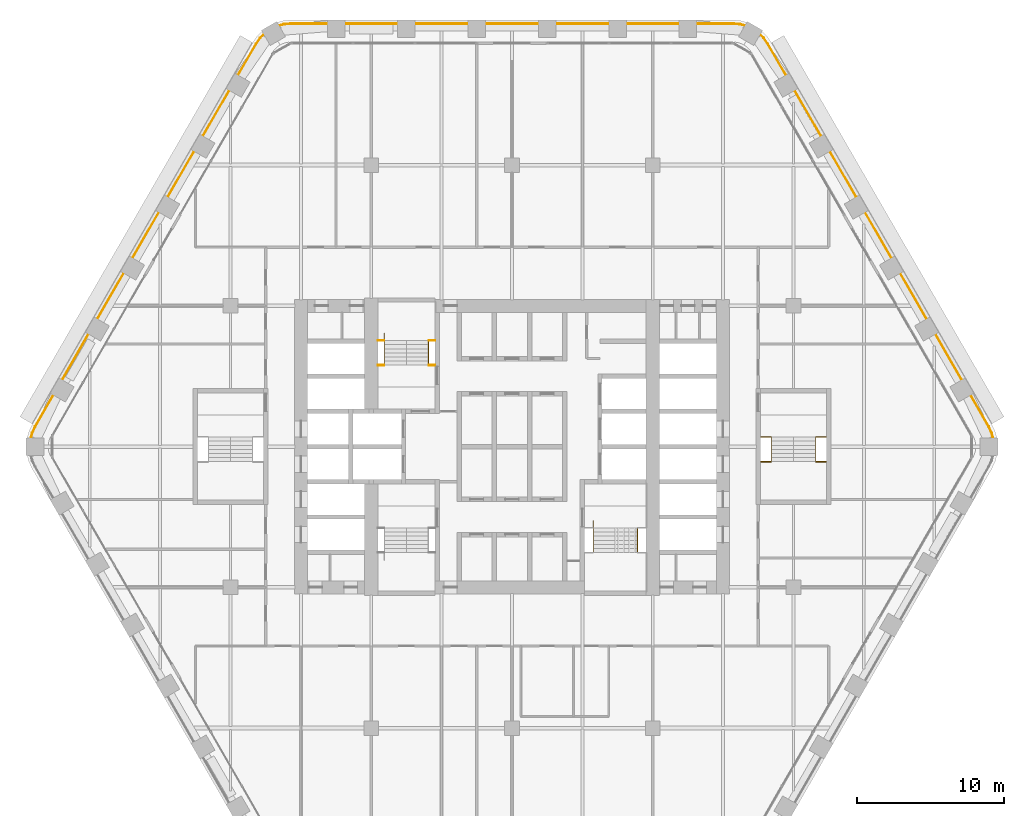
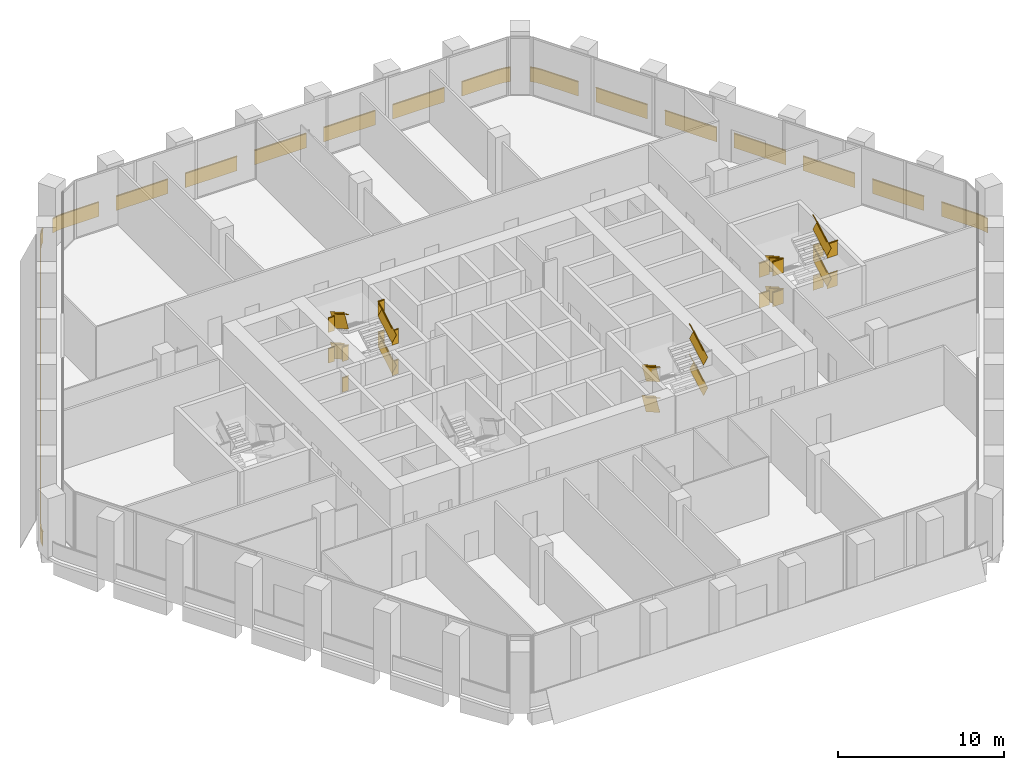
# One storey, part 23 of 23: 8 railings.
"""IFC4 building model written with IfcOpenShell, lengths in metres."""

from ifc_helpers import new_model, si_unit, direction, frame, frame_2d, origin, origin_2d, place, context, subcontext, project, spatial, rectangle, extrude, material, type_object, element, save


model = new_model("IFC4")

# Units and contexts
model_context = context("Model", 3, precision=1e-05, world=origin(), true_north=direction((0.0, 1.0)))
body_context = subcontext(model_context, "Body", "Model", "MODEL_VIEW")
ifc_project = project(units=[si_unit("LENGTHUNIT", "METRE"), si_unit("AREAUNIT", "SQUARE_METRE"), si_unit("VOLUMEUNIT", "CUBIC_METRE"), si_unit("PLANEANGLEUNIT", "RADIAN"), si_unit("MASSUNIT", "GRAM", prefix="KILO")], contexts=[model_context])

# Site, building, storey
site_placement = place(None, origin())
site = spatial("IfcSite", under=ifc_project, at=site_placement, CompositionType="ELEMENT")
building_placement = place(site_placement, origin())
building = spatial("IfcBuilding", under=site, at=building_placement, Name="Kolab Exchange Tower", CompositionType="ELEMENT")
storey_placement = place(building_placement, frame((0.0, 0.0, 95.89990234375)))
storey = spatial("IfcBuildingStorey", under=building, at=storey_placement, Name="L18", CompositionType="ELEMENT", Elevation=95.89990234375)

# Railings
ifc_material_1 = material(Name="Stainless steel 316", Category="steel")
railing_type_1 = type_object("IfcRailingType", Name="GUARD 1100", PredefinedType="GUARDRAIL", material=ifc_material_1)
railing_1_placement = place(storey_placement, frame((-9.14990234375, 5.550048828125, 0.0)))
element("IfcRailing", 1, at=railing_1_placement, inside=storey, type_object=railing_type_1, Name="Guard ST1", PredefinedType="GUARDRAIL", context=body_context, shape_type="SweptSolid", body=[
    extrude(rectangle(XDim=0.05, YDim=0.05, at=origin_2d()), frame((0.0, 0.0, 1.0751953125), z_axis=(1.0, 0.0, 0.0), x_axis=(0.0, 1.0, 0.0)), (0.0, 0.0, 1.0), 0.43994140625),
    extrude(rectangle(XDim=0.012, YDim=1.05009765625, at=frame_2d((0.0, 0.525146484375))), frame((0.0, 0.0, 0.0), z_axis=(1.0, 0.0, 0.0), x_axis=(0.0, 1.0, 0.0)), (0.0, 0.0, 1.0), 0.43994140625),
    extrude(rectangle(XDim=0.05, YDim=0.05, at=origin_2d()), frame((3.4599609375, 0.0, 1.0751953125), z_axis=(1.0, 0.0, 0.0), x_axis=(0.0, 1.0, 0.0)), (0.0, 0.0, 1.0), 0.43994140625),
    extrude(rectangle(XDim=0.012, YDim=1.05009765625, at=frame_2d((0.0, 0.525146484375))), frame((3.4599609375, 0.0, 0.0), z_axis=(1.0, 0.0, 0.0), x_axis=(0.0, 1.0, 0.0)), (0.0, 0.0, 1.0), 0.43994140625),
    extrude(rectangle(XDim=0.05, YDim=0.05, at=origin_2d()), frame((0.0, 1.679931640625, 2.2001953125), z_axis=(1.0, 0.0, 0.0), x_axis=(0.0, 1.0, 0.0)), (0.0, 0.0, 1.0), 0.43994140625),
    extrude(rectangle(XDim=0.012, YDim=1.05009765625, at=frame_2d((0.0, 0.525146484375))), frame((0.0, 1.679931640625, 1.125), z_axis=(1.0, 0.0, 0.0), x_axis=(0.0, 1.0, 0.0)), (0.0, 0.0, 1.0), 0.43994140625),
    extrude(rectangle(XDim=0.05, YDim=0.05, at=origin_2d()), frame((3.4599609375, 1.679931640625, 2.2001953125), z_axis=(1.0, 0.0, 0.0), x_axis=(0.0, 1.0, 0.0)), (0.0, 0.0, 1.0), 0.43994140625),
    extrude(rectangle(XDim=0.012, YDim=1.05009765625, at=frame_2d((0.0, 0.525146484375))), frame((3.4599609375, 1.679931640625, 1.125), z_axis=(1.0, 0.0, 0.0), x_axis=(0.0, 1.0, 0.0)), (0.0, 0.0, 1.0), 0.43994140625),
    extrude(rectangle(XDim=0.05, YDim=0.05, at=origin_2d()), frame((0.0, 0.0, 3.3251953125), z_axis=(1.0, 0.0, 0.0), x_axis=(0.0, 1.0, 0.0)), (0.0, 0.0, 1.0), 0.43994140625),
    extrude(rectangle(XDim=0.012, YDim=1.05009765625, at=frame_2d((0.0, 0.525146484375))), frame((0.0, 0.0, 2.25), z_axis=(1.0, 0.0, 0.0), x_axis=(0.0, 1.0, 0.0)), (0.0, 0.0, 1.0), 0.43994140625),
    extrude(rectangle(XDim=0.05, YDim=0.05, at=origin_2d()), frame((3.4599609375, 0.0, 3.3251953125), z_axis=(1.0, 0.0, 0.0), x_axis=(0.0, 1.0, 0.0)), (0.0, 0.0, 1.0), 0.43994140625),
    extrude(rectangle(XDim=0.012, YDim=1.05009765625, at=frame_2d((0.0, 0.525146484375))), frame((3.4599609375, 0.0, 2.25), z_axis=(1.0, 0.0, 0.0), x_axis=(0.0, 1.0, 0.0)), (0.0, 0.0, 1.0), 0.43994140625),
    extrude(rectangle(XDim=0.05, YDim=0.05, at=origin_2d()), frame((0.0, 1.679931640625, 4.4501953125), z_axis=(1.0, 0.0, 0.0), x_axis=(0.0, 1.0, 0.0)), (0.0, 0.0, 1.0), 0.43994140625),
    extrude(rectangle(XDim=0.012, YDim=1.05009765625, at=frame_2d((0.0, 0.525146484375))), frame((0.0, 1.679931640625, 3.375), z_axis=(1.0, 0.0, 0.0), x_axis=(0.0, 1.0, 0.0)), (0.0, 0.0, 1.0), 0.43994140625),
    extrude(rectangle(XDim=0.05, YDim=0.05, at=origin_2d()), frame((3.4599609375, 1.679931640625, 4.4501953125), z_axis=(1.0, 0.0, 0.0), x_axis=(0.0, 1.0, 0.0)), (0.0, 0.0, 1.0), 0.43994140625),
    extrude(rectangle(XDim=0.012, YDim=1.05009765625, at=frame_2d((0.0, 0.525146484375))), frame((3.4599609375, 1.679931640625, 3.375), z_axis=(1.0, 0.0, 0.0), x_axis=(0.0, 1.0, 0.0)), (0.0, 0.0, 1.0), 0.43994140625),
])
railing_2_placement = place(storey_placement, frame((-5.68994140625, 5.550048828125, 0.160888671875)))
element("IfcRailing", 2, at=railing_2_placement, inside=storey, type_object=railing_type_1, Name="Handrail guard ST1", PredefinedType="GUARDRAIL", context=body_context, shape_type="SweptSolid", body=[
    extrude(rectangle(XDim=0.05, YDim=0.05, at=origin_2d()), frame((0.0, 0.0, 1.0751953125), z_axis=(0.0, 0.867318599139, 0.497753400378), x_axis=(-1.0, 0.0, 0.0)), (0.0, 0.0, 1.0), 1.93701171875),
    extrude(rectangle(XDim=0.012, YDim=1.05009765625, at=frame_2d((0.0, 0.525146484375))), frame((0.0, 0.0, 0.0), z_axis=(0.0, 0.867318599139, 0.497753400378), x_axis=(-1.0, 0.0, 0.0)), (0.0, 0.0, 1.0), 1.93701171875),
    extrude(rectangle(XDim=0.05, YDim=0.05, at=origin_2d()), frame((-3.02001953125, 1.679931640625, 2.2001953125), z_axis=(0.0, -0.867318599139, 0.497753400378), x_axis=(1.0, 0.0, 0.0)), (0.0, 0.0, 1.0), 1.93701171875),
    extrude(rectangle(XDim=0.012, YDim=1.05009765625, at=frame_2d((0.0, 0.525146484375))), frame((-3.02001953125, 1.679931640625, 1.125), z_axis=(0.0, -0.867318599139, 0.497753400378), x_axis=(1.0, 0.0, 0.0)), (0.0, 0.0, 1.0), 1.93701171875),
    extrude(rectangle(XDim=0.05, YDim=0.05, at=origin_2d()), frame((0.0, 0.0, 3.3251953125), z_axis=(0.0, 0.867318599139, 0.497753400378), x_axis=(-1.0, 0.0, 0.0)), (0.0, 0.0, 1.0), 1.93701171875),
    extrude(rectangle(XDim=0.012, YDim=1.05009765625, at=frame_2d((0.0, 0.525146484375))), frame((0.0, 0.0, 2.25), z_axis=(0.0, 0.867318599139, 0.497753400378), x_axis=(-1.0, 0.0, 0.0)), (0.0, 0.0, 1.0), 1.93701171875),
    extrude(rectangle(XDim=0.05, YDim=0.05, at=origin_2d()), frame((-3.02001953125, 1.679931640625, 4.4501953125), z_axis=(0.0, -0.867318599139, 0.497753400378), x_axis=(1.0, 0.0, 0.0)), (0.0, 0.0, 1.0), 1.93701171875),
    extrude(rectangle(XDim=0.012, YDim=1.05009765625, at=frame_2d((0.0, 0.525146484375))), frame((-3.02001953125, 1.679931640625, 3.375), z_axis=(0.0, -0.867318599139, 0.497753400378), x_axis=(1.0, 0.0, 0.0)), (0.0, 0.0, 1.0), 1.93701171875),
])
railing_3_placement = place(storey_placement, frame((5.5400390625, -5.550048828125, 0.160888671875)))
element("IfcRailing", 3, at=railing_3_placement, inside=storey, type_object=railing_type_1, Name="Handrail guard ST2", PredefinedType="GUARDRAIL", context=body_context, shape_type="SweptSolid", body=[
    extrude(rectangle(XDim=0.05, YDim=0.05, at=origin_2d()), frame((0.0, 0.0, 1.0751953125), z_axis=(0.0, -0.867318599139, 0.497753400378), x_axis=(1.0, 0.0, 0.0)), (0.0, 0.0, 1.0), 1.93701171875),
    extrude(rectangle(XDim=0.012, YDim=1.05009765625, at=frame_2d((0.0, 0.525146484375))), frame((0.0, 0.0, 0.0), z_axis=(0.0, -0.867318599139, 0.497753400378), x_axis=(1.0, 0.0, 0.0)), (0.0, 0.0, 1.0), 1.93701171875),
    extrude(rectangle(XDim=0.05, YDim=0.05, at=origin_2d()), frame((3.02001953125, -1.679931640625, 2.2001953125), z_axis=(0.0, 0.867318599139, 0.497753400378), x_axis=(-1.0, 0.0, 0.0)), (0.0, 0.0, 1.0), 1.93701171875),
    extrude(rectangle(XDim=0.012, YDim=1.05009765625, at=frame_2d((0.0, 0.525146484375))), frame((3.02001953125, -1.679931640625, 1.125), z_axis=(0.0, 0.867318599139, 0.497753400378), x_axis=(-1.0, 0.0, 0.0)), (0.0, 0.0, 1.0), 1.93701171875),
    extrude(rectangle(XDim=0.05, YDim=0.05, at=origin_2d()), frame((0.0, 0.0, 3.3251953125), z_axis=(0.0, -0.867318599139, 0.497753400378), x_axis=(1.0, 0.0, 0.0)), (0.0, 0.0, 1.0), 1.93701171875),
    extrude(rectangle(XDim=0.012, YDim=1.05009765625, at=frame_2d((0.0, 0.525146484375))), frame((0.0, 0.0, 2.25), z_axis=(0.0, -0.867318599139, 0.497753400378), x_axis=(1.0, 0.0, 0.0)), (0.0, 0.0, 1.0), 1.93701171875),
    extrude(rectangle(XDim=0.05, YDim=0.05, at=origin_2d()), frame((3.02001953125, -1.679931640625, 4.4501953125), z_axis=(0.0, 0.867318599139, 0.497753400378), x_axis=(-1.0, 0.0, 0.0)), (0.0, 0.0, 1.0), 1.93701171875),
    extrude(rectangle(XDim=0.012, YDim=1.05009765625, at=frame_2d((0.0, 0.525146484375))), frame((3.02001953125, -1.679931640625, 3.375), z_axis=(0.0, 0.867318599139, 0.497753400378), x_axis=(-1.0, 0.0, 0.0)), (0.0, 0.0, 1.0), 1.93701171875),
])
railing_4_placement = place(storey_placement, frame((16.949951171875, 0.64990234375, 0.0)))
element("IfcRailing", 4, at=railing_4_placement, inside=storey, type_object=railing_type_1, Name="Guard ST4", PredefinedType="GUARDRAIL", context=body_context, shape_type="SweptSolid", body=[
    extrude(rectangle(XDim=0.05, YDim=0.05, at=origin_2d()), frame((0.0, 0.0, 1.0751953125), z_axis=(1.0, 0.0, 0.0), x_axis=(0.0, 1.0, 0.0)), (0.0, 0.0, 1.0), 0.739990234375),
    extrude(rectangle(XDim=0.012, YDim=1.05009765625, at=frame_2d((0.0, 0.525146484375))), frame((0.0, 0.0, 0.0), z_axis=(1.0, 0.0, 0.0), x_axis=(0.0, 1.0, 0.0)), (0.0, 0.0, 1.0), 0.739990234375),
    extrude(rectangle(XDim=0.05, YDim=0.05, at=origin_2d()), frame((3.760009765625, 0.0, 1.0751953125), z_axis=(1.0, 0.0, 0.0), x_axis=(0.0, 1.0, 0.0)), (0.0, 0.0, 1.0), 0.739990234375),
    extrude(rectangle(XDim=0.012, YDim=1.05009765625, at=frame_2d((0.0, 0.525146484375))), frame((3.760009765625, 0.0, 0.0), z_axis=(1.0, 0.0, 0.0), x_axis=(0.0, 1.0, 0.0)), (0.0, 0.0, 1.0), 0.739990234375),
    extrude(rectangle(XDim=0.05, YDim=0.05, at=origin_2d()), frame((0.0, -1.679931640625, 2.2001953125), z_axis=(1.0, 0.0, 0.0), x_axis=(0.0, 1.0, 0.0)), (0.0, 0.0, 1.0), 0.739990234375),
    extrude(rectangle(XDim=0.012, YDim=1.05009765625, at=frame_2d((0.0, 0.525146484375))), frame((0.0, -1.679931640625, 1.125), z_axis=(1.0, 0.0, 0.0), x_axis=(0.0, 1.0, 0.0)), (0.0, 0.0, 1.0), 0.739990234375),
    extrude(rectangle(XDim=0.05, YDim=0.05, at=origin_2d()), frame((3.760009765625, -1.679931640625, 2.2001953125), z_axis=(1.0, 0.0, 0.0), x_axis=(0.0, 1.0, 0.0)), (0.0, 0.0, 1.0), 0.739990234375),
    extrude(rectangle(XDim=0.012, YDim=1.05009765625, at=frame_2d((0.0, 0.525146484375))), frame((3.760009765625, -1.679931640625, 1.125), z_axis=(1.0, 0.0, 0.0), x_axis=(0.0, 1.0, 0.0)), (0.0, 0.0, 1.0), 0.739990234375),
    extrude(rectangle(XDim=0.05, YDim=0.05, at=origin_2d()), frame((0.0, 0.0, 3.3251953125), z_axis=(1.0, 0.0, 0.0), x_axis=(0.0, 1.0, 0.0)), (0.0, 0.0, 1.0), 0.739990234375),
    extrude(rectangle(XDim=0.012, YDim=1.05009765625, at=frame_2d((0.0, 0.525146484375))), frame((0.0, 0.0, 2.25), z_axis=(1.0, 0.0, 0.0), x_axis=(0.0, 1.0, 0.0)), (0.0, 0.0, 1.0), 0.739990234375),
    extrude(rectangle(XDim=0.05, YDim=0.05, at=origin_2d()), frame((3.760009765625, 0.0, 3.3251953125), z_axis=(1.0, 0.0, 0.0), x_axis=(0.0, 1.0, 0.0)), (0.0, 0.0, 1.0), 0.739990234375),
    extrude(rectangle(XDim=0.012, YDim=1.05009765625, at=frame_2d((0.0, 0.525146484375))), frame((3.760009765625, 0.0, 2.25), z_axis=(1.0, 0.0, 0.0), x_axis=(0.0, 1.0, 0.0)), (0.0, 0.0, 1.0), 0.739990234375),
    extrude(rectangle(XDim=0.05, YDim=0.05, at=origin_2d()), frame((0.0, -1.679931640625, 4.4501953125), z_axis=(1.0, 0.0, 0.0), x_axis=(0.0, 1.0, 0.0)), (0.0, 0.0, 1.0), 0.739990234375),
    extrude(rectangle(XDim=0.012, YDim=1.05009765625, at=frame_2d((0.0, 0.525146484375))), frame((0.0, -1.679931640625, 3.375), z_axis=(1.0, 0.0, 0.0), x_axis=(0.0, 1.0, 0.0)), (0.0, 0.0, 1.0), 0.739990234375),
    extrude(rectangle(XDim=0.05, YDim=0.05, at=origin_2d()), frame((3.760009765625, -1.679931640625, 4.4501953125), z_axis=(1.0, 0.0, 0.0), x_axis=(0.0, 1.0, 0.0)), (0.0, 0.0, 1.0), 0.739990234375),
    extrude(rectangle(XDim=0.012, YDim=1.05009765625, at=frame_2d((0.0, 0.525146484375))), frame((3.760009765625, -1.679931640625, 3.375), z_axis=(1.0, 0.0, 0.0), x_axis=(0.0, 1.0, 0.0)), (0.0, 0.0, 1.0), 0.739990234375),
])
railing_5_placement = place(storey_placement, frame((17.68994140625, 0.64990234375, 0.160888671875)))
element("IfcRailing", 5, at=railing_5_placement, inside=storey, type_object=railing_type_1, Name="Handrail guard ST4", PredefinedType="GUARDRAIL", context=body_context, shape_type="SweptSolid", body=[
    extrude(rectangle(XDim=0.05, YDim=0.05, at=origin_2d()), frame((0.0, 0.0, 1.0751953125), z_axis=(0.0, -0.867318599139, 0.497753400378), x_axis=(1.0, 0.0, 0.0)), (0.0, 0.0, 1.0), 1.93701171875),
    extrude(rectangle(XDim=0.012, YDim=1.05009765625, at=frame_2d((0.0, 0.525146484375))), frame((0.0, 0.0, 0.0), z_axis=(0.0, -0.867318599139, 0.497753400378), x_axis=(1.0, 0.0, 0.0)), (0.0, 0.0, 1.0), 1.93701171875),
    extrude(rectangle(XDim=0.05, YDim=0.05, at=origin_2d()), frame((3.02001953125, -1.679931640625, 2.2001953125), z_axis=(0.0, 0.867318599139, 0.497753400378), x_axis=(-1.0, 0.0, 0.0)), (0.0, 0.0, 1.0), 1.93701171875),
    extrude(rectangle(XDim=0.012, YDim=1.05009765625, at=frame_2d((0.0, 0.525146484375))), frame((3.02001953125, -1.679931640625, 1.125), z_axis=(0.0, 0.867318599139, 0.497753400378), x_axis=(-1.0, 0.0, 0.0)), (0.0, 0.0, 1.0), 1.93701171875),
    extrude(rectangle(XDim=0.05, YDim=0.05, at=origin_2d()), frame((0.0, 0.0, 3.3251953125), z_axis=(0.0, -0.867318599139, 0.497753400378), x_axis=(1.0, 0.0, 0.0)), (0.0, 0.0, 1.0), 1.93701171875),
    extrude(rectangle(XDim=0.012, YDim=1.05009765625, at=frame_2d((0.0, 0.525146484375))), frame((0.0, 0.0, 2.25), z_axis=(0.0, -0.867318599139, 0.497753400378), x_axis=(1.0, 0.0, 0.0)), (0.0, 0.0, 1.0), 1.93701171875),
    extrude(rectangle(XDim=0.05, YDim=0.05, at=origin_2d()), frame((3.02001953125, -1.679931640625, 4.4501953125), z_axis=(0.0, 0.867318599139, 0.497753400378), x_axis=(-1.0, 0.0, 0.0)), (0.0, 0.0, 1.0), 1.93701171875),
    extrude(rectangle(XDim=0.012, YDim=1.05009765625, at=frame_2d((0.0, 0.525146484375))), frame((3.02001953125, -1.679931640625, 3.375), z_axis=(0.0, 0.867318599139, 0.497753400378), x_axis=(-1.0, 0.0, 0.0)), (0.0, 0.0, 1.0), 1.93701171875),
])
ifc_material_2 = material(Name="Steel S235", Category="steel")
railing_type_2 = type_object("IfcRailingType", Name="GUARD 1100 GLASS BALUSTRADE AND STEEL TOP RAIL", PredefinedType="GUARDRAIL", material=ifc_material_2)
railing_6_placement = place(storey_placement, frame((15.89208984375, 28.7138671875, 0.0)))
element("IfcRailing", 6, at=railing_6_placement, inside=storey, type_object=railing_type_2, Name="Guard", PredefinedType="GUARDRAIL", context=body_context, shape_type="SweptSolid", body=[
    extrude(rectangle(XDim=0.05, YDim=0.05, at=origin_2d()), frame((0.0, 0.0, 1.0751953125), z_axis=(-0.966008746817, 0.258509382951, 0.0), x_axis=(-0.258509382951, -0.966008746817, 0.0)), (0.0, 0.0, 1.0), 0.35888671875),
    extrude(rectangle(XDim=0.012, YDim=1.05009765625, at=frame_2d((0.0, 0.525146484375))), frame((0.0, 0.0, 0.0), z_axis=(-0.966008746817, 0.258509382951, 0.0), x_axis=(-0.258509382951, -0.966008746817, 0.0)), (0.0, 0.0, 1.0), 0.35888671875),
    extrude(rectangle(XDim=0.05, YDim=0.05, at=origin_2d()), frame((-0.3466796875, 0.0927734375, 1.0751953125), z_axis=(-0.996200348447, 0.087091134757, 0.0), x_axis=(-0.087091134757, -0.996200348447, 0.0)), (0.0, 0.0, 1.0), 0.479248046875),
    extrude(rectangle(XDim=0.012, YDim=1.05009765625, at=frame_2d((0.0, 0.525146484375))), frame((-0.3466796875, 0.0927734375, 0.0), z_axis=(-0.996200348447, 0.087091134757, 0.0), x_axis=(-0.087091134757, -0.996200348447, 0.0)), (0.0, 0.0, 1.0), 0.479248046875),
    extrude(rectangle(XDim=0.05, YDim=0.05, at=origin_2d()), frame((-0.82421875, 0.134521484375, 1.0751953125), z_axis=(-1.0, 0.0, 0.0), x_axis=(0.0, -1.0, 0.0)), (0.0, 0.0, 1.0), 2.4677734375),
    extrude(rectangle(XDim=0.012, YDim=1.05009765625, at=frame_2d((0.0, 0.525146484375))), frame((-0.82421875, 0.134521484375, 0.0), z_axis=(-1.0, 0.0, 0.0), x_axis=(0.0, -1.0, 0.0)), (0.0, 0.0, 1.0), 2.4677734375),
    extrude(rectangle(XDim=0.05, YDim=0.05, at=origin_2d()), frame((-4.4921875, 0.134521484375, 1.0751953125), z_axis=(-1.0, 0.0, 0.0), x_axis=(0.0, -1.0, 0.0)), (0.0, 0.0, 1.0), 3.599853515625),
    extrude(rectangle(XDim=0.012, YDim=1.05009765625, at=frame_2d((0.0, 0.525146484375))), frame((-4.4921875, 0.134521484375, 0.0), z_axis=(-1.0, 0.0, 0.0), x_axis=(0.0, -1.0, 0.0)), (0.0, 0.0, 1.0), 3.599853515625),
    extrude(rectangle(XDim=0.05, YDim=0.05, at=origin_2d()), frame((-9.2919921875, 0.134521484375, 1.0751953125), z_axis=(-1.0, 0.0, 0.0), x_axis=(0.0, -1.0, 0.0)), (0.0, 0.0, 1.0), 3.60009765625),
    extrude(rectangle(XDim=0.012, YDim=1.05009765625, at=frame_2d((0.0, 0.525146484375))), frame((-9.2919921875, 0.134521484375, 0.0), z_axis=(-1.0, 0.0, 0.0), x_axis=(0.0, -1.0, 0.0)), (0.0, 0.0, 1.0), 3.60009765625),
    extrude(rectangle(XDim=0.05, YDim=0.05, at=origin_2d()), frame((-14.092041015625, 0.134521484375, 1.0751953125), z_axis=(-1.0, 0.0, 0.0), x_axis=(0.0, -1.0, 0.0)), (0.0, 0.0, 1.0), 3.60009765625),
    extrude(rectangle(XDim=0.012, YDim=1.05009765625, at=frame_2d((0.0, 0.525146484375))), frame((-14.092041015625, 0.134521484375, 0.0), z_axis=(-1.0, 0.0, 0.0), x_axis=(0.0, -1.0, 0.0)), (0.0, 0.0, 1.0), 3.60009765625),
    extrude(rectangle(XDim=0.05, YDim=0.05, at=origin_2d()), frame((-18.89208984375, 0.134521484375, 1.0751953125), z_axis=(-1.0, 0.0, 0.0), x_axis=(0.0, -1.0, 0.0)), (0.0, 0.0, 1.0), 3.60009765625),
    extrude(rectangle(XDim=0.012, YDim=1.05009765625, at=frame_2d((0.0, 0.525146484375))), frame((-18.89208984375, 0.134521484375, 0.0), z_axis=(-1.0, 0.0, 0.0), x_axis=(0.0, -1.0, 0.0)), (0.0, 0.0, 1.0), 3.60009765625),
    extrude(rectangle(XDim=0.05, YDim=0.05, at=origin_2d()), frame((-23.692138671875, 0.134521484375, 1.0751953125), z_axis=(-1.0, 0.0, 0.0), x_axis=(0.0, -1.0, 0.0)), (0.0, 0.0, 1.0), 3.599853515625),
    extrude(rectangle(XDim=0.012, YDim=1.05009765625, at=frame_2d((0.0, 0.525146484375))), frame((-23.692138671875, 0.134521484375, 0.0), z_axis=(-1.0, 0.0, 0.0), x_axis=(0.0, -1.0, 0.0)), (0.0, 0.0, 1.0), 3.599853515625),
    extrude(rectangle(XDim=0.05, YDim=0.05, at=origin_2d()), frame((-28.4921875, 0.134521484375, 1.0751953125), z_axis=(-1.0, 0.0, 0.0), x_axis=(0.0, -1.0, 0.0)), (0.0, 0.0, 1.0), 2.4677734375),
    extrude(rectangle(XDim=0.012, YDim=1.05009765625, at=frame_2d((0.0, 0.525146484375))), frame((-28.4921875, 0.134521484375, 0.0), z_axis=(-1.0, 0.0, 0.0), x_axis=(0.0, -1.0, 0.0)), (0.0, 0.0, 1.0), 2.4677734375),
    extrude(rectangle(XDim=0.05, YDim=0.05, at=origin_2d()), frame((-30.9599609375, 0.134521484375, 1.0751953125), z_axis=(-0.996200348447, -0.087091134757, 0.0), x_axis=(0.087091134757, -0.996200348447, 0.0)), (0.0, 0.0, 1.0), 0.479248046875),
    extrude(rectangle(XDim=0.012, YDim=1.05009765625, at=frame_2d((0.0, 0.525146484375))), frame((-30.9599609375, 0.134521484375, 0.0), z_axis=(-0.996200348447, -0.087091134757, 0.0), x_axis=(0.087091134757, -0.996200348447, 0.0)), (0.0, 0.0, 1.0), 0.479248046875),
    extrude(rectangle(XDim=0.05, YDim=0.05, at=origin_2d()), frame((-31.4375, 0.0927734375, 1.0751953125), z_axis=(-0.966008746817, -0.258509382951, 0.0), x_axis=(0.258509382951, -0.966008746817, 0.0)), (0.0, 0.0, 1.0), 0.35888671875),
    extrude(rectangle(XDim=0.012, YDim=1.05009765625, at=frame_2d((0.0, 0.525146484375))), frame((-31.4375, 0.0927734375, 0.0), z_axis=(-0.966008746817, -0.258509382951, 0.0), x_axis=(0.258509382951, -0.966008746817, 0.0)), (0.0, 0.0, 1.0), 0.35888671875),
])
railing_7_placement = place(storey_placement, frame((32.81298828125, 0.593994140625, 0.0)))
element("IfcRailing", 7, at=railing_7_placement, inside=storey, type_object=railing_type_2, Name="Guard", PredefinedType="GUARDRAIL", context=body_context, shape_type="SweptSolid", body=[
    extrude(rectangle(XDim=0.05, YDim=0.05, at=origin_2d()), frame((0.0, 0.0, 1.0751953125), z_axis=(-0.259144041577, 0.965838685141, 0.0), x_axis=(-0.965838685141, -0.259144041577, 0.0)), (0.0, 0.0, 1.0), 0.35888671875),
    extrude(rectangle(XDim=0.012, YDim=1.05009765625, at=frame_2d((0.0, 0.525146484375))), frame((0.0, 0.0, 0.0), z_axis=(-0.259144041577, 0.965838685141, 0.0), x_axis=(-0.965838685141, -0.259144041577, 0.0)), (0.0, 0.0, 1.0), 0.35888671875),
    extrude(rectangle(XDim=0.05, YDim=0.05, at=origin_2d()), frame((-0.093017578125, 0.3466796875, 1.0751953125), z_axis=(-0.422383329074, 0.906417300872, 0.0), x_axis=(-0.906417300872, -0.422383329074, 0.0)), (0.0, 0.0, 1.0), 0.479248046875),
    extrude(rectangle(XDim=0.012, YDim=1.05009765625, at=frame_2d((0.0, 0.525146484375))), frame((-0.093017578125, 0.3466796875, 0.0), z_axis=(-0.422383329074, 0.906417300872, 0.0), x_axis=(-0.906417300872, -0.422383329074, 0.0)), (0.0, 0.0, 1.0), 0.479248046875),
    extrude(rectangle(XDim=0.05, YDim=0.05, at=origin_2d()), frame((-0.29541015625, 0.781005859375, 1.0751953125), z_axis=(-0.500064973171, 0.865987888257, 0.0), x_axis=(-0.865987888257, -0.500064973171, 0.0)), (0.0, 0.0, 1.0), 2.468017578125),
    extrude(rectangle(XDim=0.012, YDim=1.05009765625, at=frame_2d((0.0, 0.525146484375))), frame((-0.29541015625, 0.781005859375, 0.0), z_axis=(-0.500064973171, 0.865987888257, 0.0), x_axis=(-0.865987888257, -0.500064973171, 0.0)), (0.0, 0.0, 1.0), 2.468017578125),
    extrude(rectangle(XDim=0.05, YDim=0.05, at=origin_2d()), frame((-2.12939453125, 3.95751953125, 1.0751953125), z_axis=(-0.500012057535, 0.866018442252, 0.0), x_axis=(-0.866018442252, -0.500012057535, 0.0)), (0.0, 0.0, 1.0), 3.60009765625),
    extrude(rectangle(XDim=0.012, YDim=1.05009765625, at=frame_2d((0.0, 0.525146484375))), frame((-2.12939453125, 3.95751953125, 0.0), z_axis=(-0.500012057535, 0.866018442252, 0.0), x_axis=(-0.866018442252, -0.500012057535, 0.0)), (0.0, 0.0, 1.0), 3.60009765625),
    extrude(rectangle(XDim=0.05, YDim=0.05, at=origin_2d()), frame((-4.529541015625, 8.114501953125, 1.0751953125), z_axis=(-0.500012057535, 0.866018442252, 0.0), x_axis=(-0.866018442252, -0.500012057535, 0.0)), (0.0, 0.0, 1.0), 3.60009765625),
    extrude(rectangle(XDim=0.012, YDim=1.05009765625, at=frame_2d((0.0, 0.525146484375))), frame((-4.529541015625, 8.114501953125, 0.0), z_axis=(-0.500012057535, 0.866018442252, 0.0), x_axis=(-0.866018442252, -0.500012057535, 0.0)), (0.0, 0.0, 1.0), 3.60009765625),
    extrude(rectangle(XDim=0.05, YDim=0.05, at=origin_2d()), frame((-6.929443359375, 12.271484375, 1.0751953125), z_axis=(-0.500012057535, 0.866018442252, 0.0), x_axis=(-0.866018442252, -0.500012057535, 0.0)), (0.0, 0.0, 1.0), 3.60009765625),
    extrude(rectangle(XDim=0.012, YDim=1.05009765625, at=frame_2d((0.0, 0.525146484375))), frame((-6.929443359375, 12.271484375, 0.0), z_axis=(-0.500012057535, 0.866018442252, 0.0), x_axis=(-0.866018442252, -0.500012057535, 0.0)), (0.0, 0.0, 1.0), 3.60009765625),
    extrude(rectangle(XDim=0.05, YDim=0.05, at=origin_2d()), frame((-9.32958984375, 16.42822265625, 1.0751953125), z_axis=(-0.499961193289, 0.866047807691, 0.0), x_axis=(-0.866047807691, -0.499961193289, 0.0)), (0.0, 0.0, 1.0), 3.599853515625),
    extrude(rectangle(XDim=0.012, YDim=1.05009765625, at=frame_2d((0.0, 0.525146484375))), frame((-9.32958984375, 16.42822265625, 0.0), z_axis=(-0.499961193289, 0.866047807691, 0.0), x_axis=(-0.866047807691, -0.499961193289, 0.0)), (0.0, 0.0, 1.0), 3.599853515625),
    extrude(rectangle(XDim=0.05, YDim=0.05, at=origin_2d()), frame((-11.7294921875, 20.585205078125, 1.0751953125), z_axis=(-0.500012057535, 0.866018442252, 0.0), x_axis=(-0.866018442252, -0.500012057535, 0.0)), (0.0, 0.0, 1.0), 3.60009765625),
    extrude(rectangle(XDim=0.012, YDim=1.05009765625, at=frame_2d((0.0, 0.525146484375))), frame((-11.7294921875, 20.585205078125, 0.0), z_axis=(-0.500012057535, 0.866018442252, 0.0), x_axis=(-0.866018442252, -0.500012057535, 0.0)), (0.0, 0.0, 1.0), 3.60009765625),
    extrude(rectangle(XDim=0.05, YDim=0.05, at=origin_2d()), frame((-14.12939453125, 24.7421875, 1.0751953125), z_axis=(-0.500064973171, 0.865987888257, 0.0), x_axis=(-0.865987888257, -0.500064973171, 0.0)), (0.0, 0.0, 1.0), 2.468017578125),
    extrude(rectangle(XDim=0.012, YDim=1.05009765625, at=frame_2d((0.0, 0.525146484375))), frame((-14.12939453125, 24.7421875, 0.0), z_axis=(-0.500064973171, 0.865987888257, 0.0), x_axis=(-0.865987888257, -0.500064973171, 0.0)), (0.0, 0.0, 1.0), 2.468017578125),
    extrude(rectangle(XDim=0.05, YDim=0.05, at=origin_2d()), frame((-15.363525390625, 26.87939453125, 1.0751953125), z_axis=(-0.573359816273, 0.819303680624, 0.0), x_axis=(-0.819303680624, -0.573359816273, 0.0)), (0.0, 0.0, 1.0), 0.4794921875),
    extrude(rectangle(XDim=0.012, YDim=1.05009765625, at=frame_2d((0.0, 0.525146484375))), frame((-15.363525390625, 26.87939453125, 0.0), z_axis=(-0.573359816273, 0.819303680624, 0.0), x_axis=(-0.819303680624, -0.573359816273, 0.0)), (0.0, 0.0, 1.0), 0.4794921875),
    extrude(rectangle(XDim=0.05, YDim=0.05, at=origin_2d()), frame((-15.638427734375, 27.272216796875, 1.0751953125), z_axis=(-0.707106781187, 0.707106781187, 0.0), x_axis=(-0.707106781187, -0.707106781187, 0.0)), (0.0, 0.0, 1.0), 0.358642578125),
    extrude(rectangle(XDim=0.012, YDim=1.05009765625, at=frame_2d((0.0, 0.525146484375))), frame((-15.638427734375, 27.272216796875, 0.0), z_axis=(-0.707106781187, 0.707106781187, 0.0), x_axis=(-0.707106781187, -0.707106781187, 0.0)), (0.0, 0.0, 1.0), 0.358642578125),
])
railing_8_placement = place(storey_placement, frame((-16.9208984375, 28.119873046875, 0.0)))
element("IfcRailing", 8, at=railing_8_placement, inside=storey, type_object=railing_type_2, Name="Guard", PredefinedType="GUARDRAIL", context=body_context, shape_type="SweptSolid", body=[
    extrude(rectangle(XDim=0.05, YDim=0.05, at=origin_2d()), frame((0.0, 0.0, 1.0751953125), z_axis=(-0.707106781187, -0.707106781187, 0.0), x_axis=(0.707106781187, -0.707106781187, 0.0)), (0.0, 0.0, 1.0), 0.358642578125),
    extrude(rectangle(XDim=0.012, YDim=1.05009765625, at=frame_2d((0.0, 0.525146484375))), frame((0.0, 0.0, 0.0), z_axis=(-0.707106781187, -0.707106781187, 0.0), x_axis=(0.707106781187, -0.707106781187, 0.0)), (0.0, 0.0, 1.0), 0.358642578125),
    extrude(rectangle(XDim=0.05, YDim=0.05, at=origin_2d()), frame((-0.253662109375, -0.253662109375, 1.0751953125), z_axis=(-0.573359816273, -0.819303680624, 0.0), x_axis=(0.819303680624, -0.573359816273, 0.0)), (0.0, 0.0, 1.0), 0.4794921875),
    extrude(rectangle(XDim=0.012, YDim=1.05009765625, at=frame_2d((0.0, 0.525146484375))), frame((-0.253662109375, -0.253662109375, 0.0), z_axis=(-0.573359816273, -0.819303680624, 0.0), x_axis=(0.819303680624, -0.573359816273, 0.0)), (0.0, 0.0, 1.0), 0.4794921875),
    extrude(rectangle(XDim=0.05, YDim=0.05, at=origin_2d()), frame((-0.528564453125, -0.646484375, 1.0751953125), z_axis=(-0.500064973171, -0.865987888257, 0.0), x_axis=(0.865987888257, -0.500064973171, 0.0)), (0.0, 0.0, 1.0), 2.468017578125),
    extrude(rectangle(XDim=0.012, YDim=1.05009765625, at=frame_2d((0.0, 0.525146484375))), frame((-0.528564453125, -0.646484375, 0.0), z_axis=(-0.500064973171, -0.865987888257, 0.0), x_axis=(0.865987888257, -0.500064973171, 0.0)), (0.0, 0.0, 1.0), 2.468017578125),
    extrude(rectangle(XDim=0.05, YDim=0.05, at=origin_2d()), frame((-2.362548828125, -3.822998046875, 1.0751953125), z_axis=(-0.500012057535, -0.866018442252, 0.0), x_axis=(0.866018442252, -0.500012057535, 0.0)), (0.0, 0.0, 1.0), 3.60009765625),
    extrude(rectangle(XDim=0.012, YDim=1.05009765625, at=frame_2d((0.0, 0.525146484375))), frame((-2.362548828125, -3.822998046875, 0.0), z_axis=(-0.500012057535, -0.866018442252, 0.0), x_axis=(0.866018442252, -0.500012057535, 0.0)), (0.0, 0.0, 1.0), 3.60009765625),
    extrude(rectangle(XDim=0.05, YDim=0.05, at=origin_2d()), frame((-4.7626953125, -7.97998046875, 1.0751953125), z_axis=(-0.499961193289, -0.866047807691, 0.0), x_axis=(0.866047807691, -0.499961193289, 0.0)), (0.0, 0.0, 1.0), 3.599853515625),
    extrude(rectangle(XDim=0.012, YDim=1.05009765625, at=frame_2d((0.0, 0.525146484375))), frame((-4.7626953125, -7.97998046875, 0.0), z_axis=(-0.499961193289, -0.866047807691, 0.0), x_axis=(0.866047807691, -0.499961193289, 0.0)), (0.0, 0.0, 1.0), 3.599853515625),
    extrude(rectangle(XDim=0.05, YDim=0.05, at=origin_2d()), frame((-7.16259765625, -12.13671875, 1.0751953125), z_axis=(-0.500012057535, -0.866018442252, 0.0), x_axis=(0.866018442252, -0.500012057535, 0.0)), (0.0, 0.0, 1.0), 3.60009765625),
    extrude(rectangle(XDim=0.012, YDim=1.05009765625, at=frame_2d((0.0, 0.525146484375))), frame((-7.16259765625, -12.13671875, 0.0), z_axis=(-0.500012057535, -0.866018442252, 0.0), x_axis=(0.866018442252, -0.500012057535, 0.0)), (0.0, 0.0, 1.0), 3.60009765625),
    extrude(rectangle(XDim=0.05, YDim=0.05, at=origin_2d()), frame((-9.5625, -16.293701171875, 1.0751953125), z_axis=(-0.500012057535, -0.866018442252, 0.0), x_axis=(0.866018442252, -0.500012057535, 0.0)), (0.0, 0.0, 1.0), 3.60009765625),
    extrude(rectangle(XDim=0.012, YDim=1.05009765625, at=frame_2d((0.0, 0.525146484375))), frame((-9.5625, -16.293701171875, 0.0), z_axis=(-0.500012057535, -0.866018442252, 0.0), x_axis=(0.866018442252, -0.500012057535, 0.0)), (0.0, 0.0, 1.0), 3.60009765625),
    extrude(rectangle(XDim=0.05, YDim=0.05, at=origin_2d()), frame((-11.962646484375, -20.45068359375, 1.0751953125), z_axis=(-0.500012057535, -0.866018442252, 0.0), x_axis=(0.866018442252, -0.500012057535, 0.0)), (0.0, 0.0, 1.0), 3.60009765625),
    extrude(rectangle(XDim=0.012, YDim=1.05009765625, at=frame_2d((0.0, 0.525146484375))), frame((-11.962646484375, -20.45068359375, 0.0), z_axis=(-0.500012057535, -0.866018442252, 0.0), x_axis=(0.866018442252, -0.500012057535, 0.0)), (0.0, 0.0, 1.0), 3.60009765625),
    extrude(rectangle(XDim=0.05, YDim=0.05, at=origin_2d()), frame((-14.362548828125, -24.607666015625, 1.0751953125), z_axis=(-0.500064973171, -0.865987888257, 0.0), x_axis=(0.865987888257, -0.500064973171, 0.0)), (0.0, 0.0, 1.0), 2.468017578125),
    extrude(rectangle(XDim=0.012, YDim=1.05009765625, at=frame_2d((0.0, 0.525146484375))), frame((-14.362548828125, -24.607666015625, 0.0), z_axis=(-0.500064973171, -0.865987888257, 0.0), x_axis=(0.865987888257, -0.500064973171, 0.0)), (0.0, 0.0, 1.0), 2.468017578125),
    extrude(rectangle(XDim=0.05, YDim=0.05, at=origin_2d()), frame((-15.5966796875, -26.744873046875, 1.0751953125), z_axis=(-0.422383329074, -0.906417300872, 0.0), x_axis=(0.906417300872, -0.422383329074, 0.0)), (0.0, 0.0, 1.0), 0.479248046875),
    extrude(rectangle(XDim=0.012, YDim=1.05009765625, at=frame_2d((0.0, 0.525146484375))), frame((-15.5966796875, -26.744873046875, 0.0), z_axis=(-0.422383329074, -0.906417300872, 0.0), x_axis=(0.906417300872, -0.422383329074, 0.0)), (0.0, 0.0, 1.0), 0.479248046875),
    extrude(rectangle(XDim=0.05, YDim=0.05, at=origin_2d()), frame((-15.799072265625, -27.17919921875, 1.0751953125), z_axis=(-0.259144041577, -0.965838685141, 0.0), x_axis=(0.965838685141, -0.259144041577, 0.0)), (0.0, 0.0, 1.0), 0.35888671875),
    extrude(rectangle(XDim=0.012, YDim=1.05009765625, at=frame_2d((0.0, 0.525146484375))), frame((-15.799072265625, -27.17919921875, 0.0), z_axis=(-0.259144041577, -0.965838685141, 0.0), x_axis=(0.965838685141, -0.259144041577, 0.0)), (0.0, 0.0, 1.0), 0.35888671875),
])

save(model, "model.ifc")
